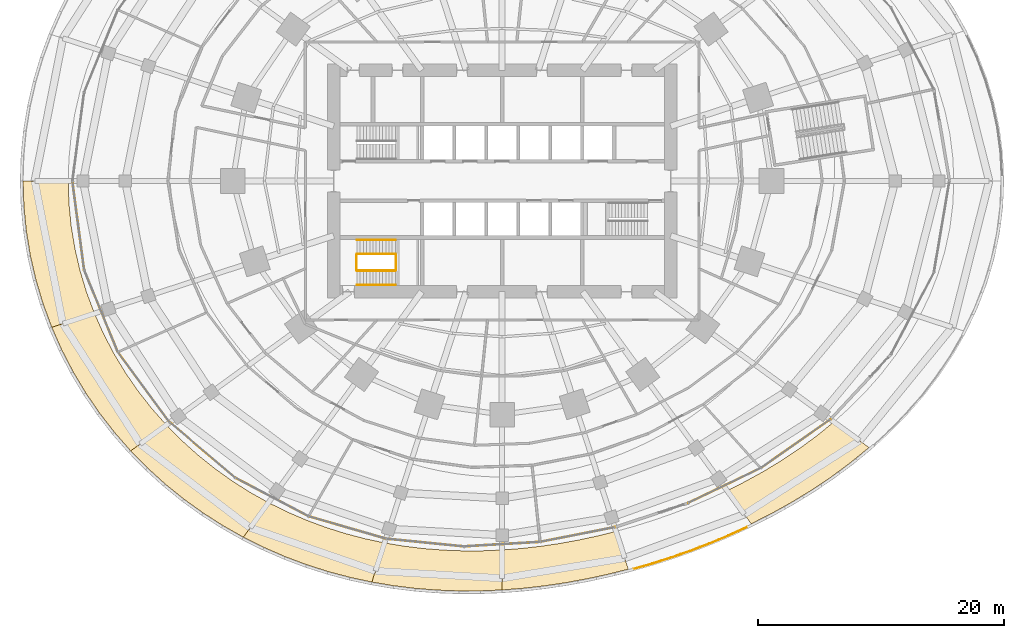
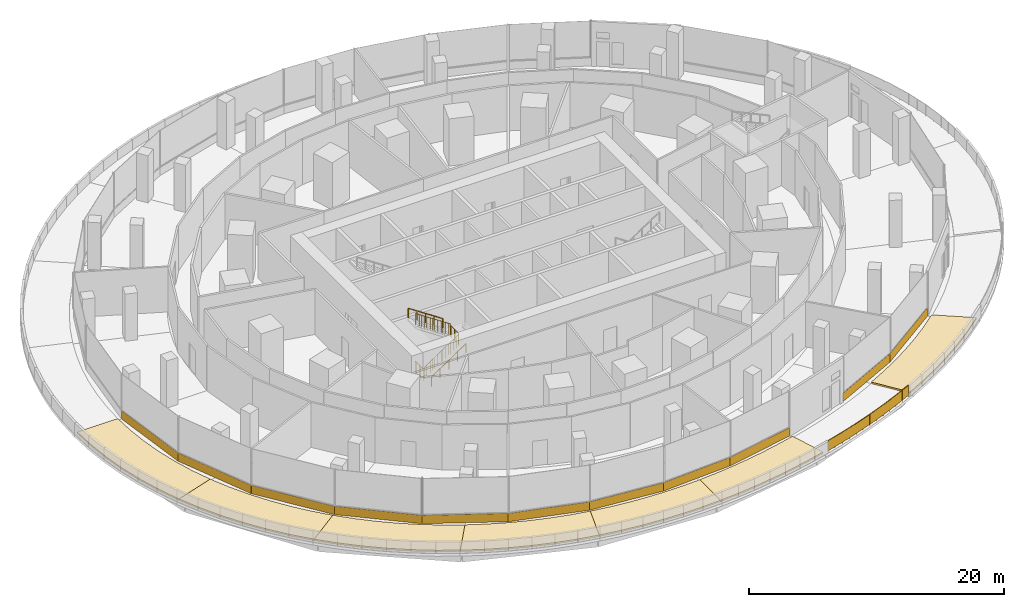
# One storey, part 25 of 27: 18 coverings, 7 railings.
"""IFC4 building model written with IfcOpenShell, lengths in metres."""

from ifc_helpers import new_model, si_unit, direction, frame, origin, origin_2d, place, context, subcontext, project, spatial, polyline, rectangle, circle, outline, extrude, material, layer, layer_set, type_object, element, save


model = new_model("IFC4")

# Units and contexts
model_context = context("Model", 3, precision=1e-05, world=origin(), true_north=direction((0.0, 1.0)))
body_context = subcontext(model_context, "Body", "Model", "MODEL_VIEW")
ifc_project = project(units=[si_unit("LENGTHUNIT", "METRE"), si_unit("AREAUNIT", "SQUARE_METRE"), si_unit("VOLUMEUNIT", "CUBIC_METRE"), si_unit("PLANEANGLEUNIT", "RADIAN"), si_unit("MASSUNIT", "GRAM", prefix="KILO")], contexts=[model_context])

# Site, building, storey
site_placement = place(None, origin())
site = spatial("IfcSite", under=ifc_project, at=site_placement, CompositionType="ELEMENT")
building_placement = place(site_placement, origin())
building = spatial("IfcBuilding", under=site, at=building_placement, Name="Marramba Exchange Tower", CompositionType="ELEMENT")
storey_placement = place(building_placement, frame((0.0, 0.0, 10.60009765625)))
storey = spatial("IfcBuildingStorey", under=building, at=storey_placement, Name="L02", CompositionType="ELEMENT", Elevation=10.60009765625)

# Coverings
ifc_material_1 = material(Name="Extensive green roof: growing medium on drainage cell, filter fabric and root-barrier membrane")
ifc_layer_1 = layer(ifc_material_1, 0.14990234375)
ifc_layer_set_1 = layer_set([ifc_layer_1], Name="Planted roof build-up 150")
covering_type_1 = type_object("IfcCoveringType", Name="Planted roof build-up 150", PredefinedType="ROOFING", material=ifc_layer_set_1)
covering_1_placement = place(storey_placement, origin())
element("IfcCovering", 1, at=covering_1_placement, inside=storey, type_object=covering_type_1, Name="Planted roof build-up L02 bay 11", PredefinedType="ROOFING", context=body_context, shape_type="SweptSolid", body=[
    extrude(outline(polyline([(-35.280029296875, 0.0), (-35.21923828125, -1.845703125), (-35.03759765625, -3.6826171875), (-34.736572265625, -5.501708984375), (-34.318603515625, -7.294677734375), (-33.787353515625, -9.05322265625), (-33.146484375, -10.77001953125), (-36.61572265625, -11.897216796875), (-37.3173828125, -9.999267578125), (-37.89892578125, -8.0556640625), (-38.35595703125, -6.074951171875), (-38.68505859375, -4.06591796875), (-38.883544921875, -2.037841796875), (-38.949951171875, 0.0), (-35.280029296875, 0.0)])), origin(), (0.0, 0.0, 1.0), 0.14990234375),
])
covering_2_placement = place(storey_placement, origin())
element("IfcCovering", 2, at=covering_2_placement, inside=storey, type_object=covering_type_1, Name="Planted roof build-up L02 bay 12", PredefinedType="ROOFING", context=body_context, shape_type="SweptSolid", body=[
    extrude(outline(polyline([(-33.146484375, -10.77001953125), (-32.40087890625, -12.4375), (-31.55615234375, -14.049560546875), (-30.61767578125, -15.6005859375), (-29.591796875, -17.0849609375), (-28.484619140625, -18.498291015625), (-27.302734375, -19.836669921875), (-30.199462890625, -21.941162109375), (-30.199462890625, -21.941162109375), (-31.49951171875, -20.4560546875), (-32.71630859375, -18.888671875), (-33.843017578125, -17.243896484375), (-34.87255859375, -15.5263671875), (-35.798828125, -13.741943359375), (-36.61572265625, -11.897216796875), (-36.61572265625, -11.897216796875), (-33.146484375, -10.77001953125)])), origin(), (0.0, 0.0, 1.0), 0.14990234375),
])
covering_3_placement = place(storey_placement, origin())
element("IfcCovering", 3, at=covering_3_placement, inside=storey, type_object=covering_type_1, Name="Planted roof build-up L02 bay 13", PredefinedType="ROOFING", context=body_context, shape_type="SweptSolid", body=[
    extrude(outline(polyline([(-27.302734375, -19.836669921875), (-26.052490234375, -21.096923828125), (-24.740234375, -22.276123046875), (-23.37255859375, -23.37255859375), (-21.955810546875, -24.38427734375), (-20.49609375, -25.310791015625), (-18.999755859375, -26.15087890625), (-21.041015625, -28.96044921875), (-22.6943359375, -28.025146484375), (-24.305908203125, -26.994384765625), (-25.869140625, -25.869140625), (-27.377197265625, -24.650390625), (-28.822998046875, -23.34033203125), (-30.199462890625, -21.941162109375), (-27.302734375, -19.836669921875)])), origin(), (0.0, 0.0, 1.0), 0.14990234375),
])
covering_4_placement = place(storey_placement, origin())
element("IfcCovering", 4, at=covering_4_placement, inside=storey, type_object=covering_type_1, Name="Planted roof build-up L02 bay 14", PredefinedType="ROOFING", context=body_context, shape_type="SweptSolid", body=[
    extrude(outline(polyline([(-18.999755859375, -26.15087890625), (-17.47265625, -26.905517578125), (-15.920166015625, -27.574462890625), (-14.347900390625, -28.159423828125), (-12.760986328125, -28.661376953125), (-11.163818359375, -29.082763671875), (-9.56103515625, -29.42578125), (-10.595458984375, -32.60986328125), (-12.370849609375, -32.227294921875), (-14.139404296875, -31.757568359375), (-15.89599609375, -31.19775390625), (-17.6357421875, -30.546142578125), (-19.352783203125, -29.800537109375), (-21.041015625, -28.96044921875), (-21.041015625, -28.96044921875), (-18.999755859375, -26.15087890625)])), origin(), (0.0, 0.0, 1.0), 0.14990234375),
])
covering_5_placement = place(storey_placement, origin())
element("IfcCovering", 5, at=covering_5_placement, inside=storey, type_object=covering_type_1, Name="Planted roof build-up L02 bay 15", PredefinedType="ROOFING", context=body_context, shape_type="SweptSolid", body=[
    extrude(outline(polyline([(-9.56103515625, -29.42578125), (-7.956298828125, -29.693115234375), (-6.352783203125, -29.887451171875), (-4.75341796875, -30.01220703125), (-3.160400390625, -30.0703125), (-1.57568359375, -30.065185546875), (0.0, -30.0), (0.0, -33.25), (-1.746337890625, -33.32275390625), (-3.5029296875, -33.32861328125), (-5.2685546875, -33.263671875), (-7.040771484375, -33.124755859375), (-8.817626953125, -32.907958984375), (-10.595458984375, -32.60986328125), (-10.595458984375, -32.60986328125), (-9.56103515625, -29.42578125)])), origin(), (0.0, 0.0, 1.0), 0.14990234375),
])
covering_6_placement = place(storey_placement, origin())
element("IfcCovering", 6, at=covering_6_placement, inside=storey, type_object=covering_type_1, Name="Planted roof build-up L02 bay 16", PredefinedType="ROOFING", context=body_context, shape_type="SweptSolid", body=[
    extrude(outline(polyline([(0.0, -30.0), (1.56591796875, -29.877685546875), (3.12158203125, -29.700927734375), (4.66796875, -29.471923828125), (6.205078125, -29.19287109375), (7.734375, -28.864990234375), (9.256591796875, -28.48876953125), (10.255615234375, -31.563720703125), (8.56982421875, -31.9833984375), (6.8759765625, -32.34912109375), (5.1728515625, -32.66064453125), (3.459716796875, -32.916015625), (1.7353515625, -33.113525390625), (0.0, -33.25), (0.0, -30.0)])), origin(), (0.0, 0.0, 1.0), 0.14990234375),
])
covering_7_placement = place(storey_placement, origin())
element("IfcCovering", 7, at=covering_7_placement, inside=storey, type_object=covering_type_1, Name="Planted roof build-up L02 bay 18", PredefinedType="ROOFING", context=body_context, shape_type="SweptSolid", body=[
    extrude(outline(polyline([(18.29052734375, -25.1748046875), (19.778564453125, -24.42431640625), (21.256591796875, -23.60791015625), (22.720703125, -22.720703125), (24.165283203125, -21.758544921875), (25.58349609375, -20.71728515625), (26.96728515625, -19.593017578125), (29.825927734375, -21.669677734375), (29.825927734375, -21.669677734375), (28.30078125, -22.91748046875), (26.736572265625, -24.07373046875), (25.142822265625, -25.142822265625), (23.526611328125, -26.12890625), (21.89404296875, -27.036865234375), (20.25, -27.871826171875), (20.25, -27.871826171875), (18.29052734375, -25.1748046875)])), origin(), (0.0, 0.0, 1.0), 0.14990234375),
])
ifc_material_2 = material(Name="Aluminium spandrel panel, bronze anodised, insulated", Category="aluminium")
ifc_layer_2 = layer(ifc_material_2, 0.050048828125)
ifc_layer_set_2 = layer_set([ifc_layer_2], Name="Spandrel panel 800")
covering_type_2 = type_object("IfcCoveringType", Name="Spandrel panel 800", PredefinedType="CLADDING", material=ifc_layer_set_2)
covering_8_placement = place(storey_placement, frame((-34.453125, -3.61083984375, 0.0), z_axis=(0.0, 0.0, 1.0), x_axis=(0.130911282376, -0.991394087206, 0.0)))
element("IfcCovering", 8, at=covering_8_placement, inside=storey, type_object=covering_type_2, Name="Spandrel panel SP1 L02 F16", PredefinedType="CLADDING", context=body_context, shape_type="SweptSolid", body=[
    extrude(rectangle(XDim=7.28466796875, YDim=0.050048828125, at=origin_2d()), origin(), (0.0, 0.0, 1.0), 0.800048828125),
])
covering_9_placement = place(storey_placement, frame((-32.6064453125, -10.564697265625, 0.0), z_axis=(0.0, 0.0, 1.0), x_axis=(0.379239669648, -0.925298477771, 0.0)))
element("IfcCovering", 9, at=covering_9_placement, inside=storey, type_object=covering_type_2, Name="Spandrel panel SP1 L02 F17", PredefinedType="CLADDING", context=body_context, shape_type="SweptSolid", body=[
    extrude(rectangle(XDim=7.22509765625, YDim=0.050048828125, at=origin_2d()), origin(), (0.0, 0.0, 1.0), 0.800048828125),
])
covering_10_placement = place(storey_placement, frame((-29.1279296875, -16.76904296875, 0.0), z_axis=(0.0, 0.0, 1.0), x_axis=(0.593136259524, -0.805102091438, 0.0)))
element("IfcCovering", 10, at=covering_10_placement, inside=storey, type_object=covering_type_2, Name="Spandrel panel SP1 L02 F18", PredefinedType="CLADDING", context=body_context, shape_type="SweptSolid", body=[
    extrude(rectangle(XDim=7.109130859375, YDim=0.050048828125, at=origin_2d()), origin(), (0.0, 0.0, 1.0), 0.800048828125),
])
covering_11_placement = place(storey_placement, frame((-24.37060546875, -21.877685546875, 0.0), z_axis=(0.0, 0.0, 1.0), x_axis=(0.762643245828, -0.646819356229, 0.0)))
element("IfcCovering", 11, at=covering_11_placement, inside=storey, type_object=covering_type_2, Name="Spandrel panel SP1 L02 F19", PredefinedType="CLADDING", context=body_context, shape_type="SweptSolid", body=[
    extrude(rectangle(XDim=6.94677734375, YDim=0.050048828125, at=origin_2d()), origin(), (0.0, 0.0, 1.0), 0.800048828125),
])
covering_12_placement = place(storey_placement, frame((-18.7333984375, -25.69775390625, 0.0), z_axis=(0.0, 0.0, 1.0), x_axis=(0.88482139404, -0.4659303603, 0.0)))
element("IfcCovering", 12, at=covering_12_placement, inside=storey, type_object=covering_type_2, Name="Spandrel panel SP1 L02 F20", PredefinedType="CLADDING", context=body_context, shape_type="SweptSolid", body=[
    extrude(rectangle(XDim=6.75439453125, YDim=0.050048828125, at=origin_2d()), origin(), (0.0, 0.0, 1.0), 0.800048828125),
])
covering_13_placement = place(storey_placement, frame((-12.59912109375, -28.18212890625, 0.0), z_axis=(0.0, 0.0, 1.0), x_axis=(0.960559279133, -0.278075297844, 0.0)))
element("IfcCovering", 13, at=covering_13_placement, inside=storey, type_object=covering_type_2, Name="Spandrel panel SP1 L02 F21", PredefinedType="CLADDING", context=body_context, shape_type="SweptSolid", body=[
    extrude(rectangle(XDim=6.550537109375, YDim=0.050048828125, at=origin_2d()), origin(), (0.0, 0.0, 1.0), 0.800048828125),
])
covering_14_placement = place(storey_placement, frame((-6.288330078125, -29.407470703125, 0.0), z_axis=(0.0, 0.0, 1.0), x_axis=(0.995093649921, -0.098937494844, 0.0)))
element("IfcCovering", 14, at=covering_14_placement, inside=storey, type_object=covering_type_2, Name="Spandrel panel SP1 L02 F22", PredefinedType="CLADDING", context=body_context, shape_type="SweptSolid", body=[
    extrude(rectangle(XDim=6.360107421875, YDim=0.050048828125, at=origin_2d()), origin(), (0.0, 0.0, 1.0), 0.800048828125),
])
covering_15_placement = place(storey_placement, frame((-0.01953125, -29.53759765625, 0.0), z_axis=(0.0, 0.0, 1.0), x_axis=(0.998234861164, 0.0593899146, 0.0)))
element("IfcCovering", 15, at=covering_15_placement, inside=storey, type_object=covering_type_2, Name="Spandrel panel SP1 L02 F23", PredefinedType="CLADDING", context=body_context, shape_type="SweptSolid", body=[
    extrude(rectangle(XDim=6.219970703125, YDim=0.050048828125, at=origin_2d()), origin(), (0.0, 0.0, 1.0), 0.800048828125),
])
covering_16_placement = place(storey_placement, frame((6.11669921875, -28.75439453125, 0.0), z_axis=(0.0, 0.0, 1.0), x_axis=(0.981067096824, 0.193668147948, 0.0)))
element("IfcCovering", 16, at=covering_16_placement, inside=storey, type_object=covering_type_2, Name="Spandrel panel SP1 L02 F24", PredefinedType="CLADDING", context=body_context, shape_type="SweptSolid", body=[
    extrude(rectangle(XDim=6.180419921875, YDim=0.050048828125, at=origin_2d()), origin(), (0.0, 0.0, 1.0), 0.800048828125),
])
covering_17_placement = place(storey_placement, frame((18.071533203125, -24.768798828125, 0.0), z_axis=(0.0, 0.0, 1.0), x_axis=(0.900955999326, 0.433910459979, 0.0)))
element("IfcCovering", 17, at=covering_17_placement, inside=storey, type_object=covering_type_2, Name="Spandrel panel SP1 L02 F26", PredefinedType="CLADDING", context=body_context, shape_type="SweptSolid", body=[
    extrude(rectangle(XDim=6.55029296875, YDim=0.050048828125, at=origin_2d()), origin(), (0.0, 0.0, 1.0), 0.800048828125),
])
covering_18_placement = place(storey_placement, frame((23.853271484375, -21.367431640625, 0.0), z_axis=(0.0, 0.0, 1.0), x_axis=(0.819415982264, 0.57319930915, 0.0)))
element("IfcCovering", 18, at=covering_18_placement, inside=storey, type_object=covering_type_2, Name="Spandrel panel SP1 L02 F27", PredefinedType="CLADDING", context=body_context, shape_type="SweptSolid", body=[
    extrude(rectangle(XDim=6.909423828125, YDim=0.050048828125, at=origin_2d()), origin(), (0.0, 0.0, 1.0), 0.800048828125),
])

# Railings
ifc_material_3 = material(Name="Stainless steel handrail", Category="steel")
railing_type_1 = type_object("IfcRailingType", Name="Stair handrail 900", PredefinedType="HANDRAIL", material=ifc_material_3)
railing_1_placement = place(storey_placement, frame((-11.800048828125, -8.449951171875, 0.173095703125)))
element("IfcRailing", 19, at=railing_1_placement, inside=storey, type_object=railing_type_1, Name="Handrail HR1 ST3 L02 flight 1", PredefinedType="HANDRAIL", context=body_context, shape_type="SweptSolid", body=[
    extrude(circle(Radius=0.02392578125, at=origin_2d()), frame((0.0, 0.0, 0.8759765625), z_axis=(0.83244090515, 0.0, 0.554113832559), x_axis=(0.0, 1.0, 0.0)), (0.0, 0.0, 1.0), 3.748046875),
    extrude(circle(Radius=0.02099609375, at=origin_2d()), origin(), (0.0, 0.0, 1.0), 0.851806640625),
    extrude(circle(Radius=0.02099609375, at=origin_2d()), frame((0.780029296875, 0.0, 0.519287109375)), (0.0, 0.0, 1.0), 0.851806640625),
    extrude(circle(Radius=0.02099609375, at=origin_2d()), frame((1.56005859375, 0.0, 1.03857421875)), (0.0, 0.0, 1.0), 0.851806640625),
    extrude(circle(Radius=0.02099609375, at=origin_2d()), frame((2.340087890625, 0.0, 1.5576171875)), (0.0, 0.0, 1.0), 0.851806640625),
    extrude(circle(Radius=0.02099609375, at=origin_2d()), frame((3.1201171875, 0.0, 2.076904296875)), (0.0, 0.0, 1.0), 0.851806640625),
])
railing_2_placement = place(storey_placement, frame((-8.679931640625, -4.800048828125, 2.423095703125)))
element("IfcRailing", 20, at=railing_2_placement, inside=storey, type_object=railing_type_1, Name="Handrail HR1 ST3 L02 flight 2", PredefinedType="HANDRAIL", context=body_context, shape_type="SweptSolid", body=[
    extrude(circle(Radius=0.02392578125, at=origin_2d()), frame((0.0, 0.0, 0.8759765625), z_axis=(-0.83244090515, 0.0, 0.554113832559), x_axis=(0.0, -1.0, 0.0)), (0.0, 0.0, 1.0), 3.748046875),
    extrude(circle(Radius=0.02099609375, at=origin_2d()), origin(), (0.0, 0.0, 1.0), 0.851806640625),
    extrude(circle(Radius=0.02099609375, at=origin_2d()), frame((-0.780029296875, 0.0, 0.519287109375)), (0.0, 0.0, 1.0), 0.851806640625),
    extrude(circle(Radius=0.02099609375, at=origin_2d()), frame((-1.56005859375, 0.0, 1.03857421875)), (0.0, 0.0, 1.0), 0.851806640625),
    extrude(circle(Radius=0.02099609375, at=origin_2d()), frame((-2.340087890625, 0.0, 1.5576171875)), (0.0, 0.0, 1.0), 0.851806640625),
    extrude(circle(Radius=0.02099609375, at=origin_2d()), frame((-3.1201171875, 0.0, 2.076904296875)), (0.0, 0.0, 1.0), 0.851806640625),
])
ifc_material_4 = material(Name="Stainless steel guard", Category="steel")
railing_type_2 = type_object("IfcRailingType", Name="Stair well guard 1100", PredefinedType="GUARDRAIL", material=ifc_material_4)
railing_3_placement = place(storey_placement, frame((-11.800048828125, -7.300048828125, 0.173095703125)))
element("IfcRailing", 21, at=railing_3_placement, inside=storey, type_object=railing_type_2, Name="Stair well guard GR2 ST3 L02 flight 1", PredefinedType="GUARDRAIL", context=body_context, shape_type="SweptSolid", body=[
    extrude(circle(Radius=0.02392578125, at=origin_2d()), frame((0.0, 0.0, 1.076171875), z_axis=(0.83244090515, 0.0, 0.554113832559), x_axis=(0.0, 1.0, 0.0)), (0.0, 0.0, 1.0), 3.748046875),
    extrude(circle(Radius=0.02099609375, at=origin_2d()), origin(), (0.0, 0.0, 1.0), 1.052001953125),
    extrude(circle(Radius=0.02099609375, at=origin_2d()), frame((0.780029296875, 0.0, 0.519287109375)), (0.0, 0.0, 1.0), 1.052001953125),
    extrude(circle(Radius=0.02099609375, at=origin_2d()), frame((1.56005859375, 0.0, 1.03857421875)), (0.0, 0.0, 1.0), 1.052001953125),
    extrude(circle(Radius=0.02099609375, at=origin_2d()), frame((2.340087890625, 0.0, 1.5576171875)), (0.0, 0.0, 1.0), 1.052001953125),
    extrude(circle(Radius=0.02099609375, at=origin_2d()), frame((3.1201171875, 0.0, 2.076904296875)), (0.0, 0.0, 1.0), 1.052001953125),
    extrude(circle(Radius=0.006103515625, at=origin_2d()), frame((0.1220703125, 0.0, 0.081298828125)), (0.0, 0.0, 1.0), 1.052001953125),
    extrude(circle(Radius=0.006103515625, at=origin_2d()), frame((0.229248046875, 0.0, 0.152587890625)), (0.0, 0.0, 1.0), 1.052001953125),
    extrude(circle(Radius=0.006103515625, at=origin_2d()), frame((0.33642578125, 0.0, 0.223876953125)), (0.0, 0.0, 1.0), 1.052001953125),
    extrude(circle(Radius=0.006103515625, at=origin_2d()), frame((0.443603515625, 0.0, 0.295166015625)), (0.0, 0.0, 1.0), 1.052001953125),
    extrude(circle(Radius=0.006103515625, at=origin_2d()), frame((0.55078125, 0.0, 0.36669921875)), (0.0, 0.0, 1.0), 1.052001953125),
    extrude(circle(Radius=0.006103515625, at=origin_2d()), frame((0.657958984375, 0.0, 0.43798828125)), (0.0, 0.0, 1.0), 1.052001953125),
    extrude(circle(Radius=0.006103515625, at=origin_2d()), frame((0.902099609375, 0.0, 0.6005859375)), (0.0, 0.0, 1.0), 1.052001953125),
    extrude(circle(Radius=0.006103515625, at=origin_2d()), frame((1.00927734375, 0.0, 0.671875)), (0.0, 0.0, 1.0), 1.052001953125),
    extrude(circle(Radius=0.006103515625, at=origin_2d()), frame((1.116455078125, 0.0, 0.7431640625)), (0.0, 0.0, 1.0), 1.052001953125),
    extrude(circle(Radius=0.006103515625, at=origin_2d()), frame((1.2236328125, 0.0, 0.814453125)), (0.0, 0.0, 1.0), 1.052001953125),
    extrude(circle(Radius=0.006103515625, at=origin_2d()), frame((1.330810546875, 0.0, 0.8857421875)), (0.0, 0.0, 1.0), 1.052001953125),
    extrude(circle(Radius=0.006103515625, at=origin_2d()), frame((1.43798828125, 0.0, 0.95703125)), (0.0, 0.0, 1.0), 1.052001953125),
    extrude(circle(Radius=0.006103515625, at=origin_2d()), frame((1.68212890625, 0.0, 1.119873046875)), (0.0, 0.0, 1.0), 1.052001953125),
    extrude(circle(Radius=0.006103515625, at=origin_2d()), frame((1.789306640625, 0.0, 1.191162109375)), (0.0, 0.0, 1.0), 1.052001953125),
    extrude(circle(Radius=0.006103515625, at=origin_2d()), frame((1.896484375, 0.0, 1.262451171875)), (0.0, 0.0, 1.0), 1.052001953125),
    extrude(circle(Radius=0.006103515625, at=origin_2d()), frame((2.003662109375, 0.0, 1.333740234375)), (0.0, 0.0, 1.0), 1.052001953125),
    extrude(circle(Radius=0.006103515625, at=origin_2d()), frame((2.11083984375, 0.0, 1.405029296875)), (0.0, 0.0, 1.0), 1.052001953125),
    extrude(circle(Radius=0.006103515625, at=origin_2d()), frame((2.218017578125, 0.0, 1.476318359375)), (0.0, 0.0, 1.0), 1.052001953125),
    extrude(circle(Radius=0.006103515625, at=origin_2d()), frame((2.462158203125, 0.0, 1.638916015625)), (0.0, 0.0, 1.0), 1.052001953125),
    extrude(circle(Radius=0.006103515625, at=origin_2d()), frame((2.5693359375, 0.0, 1.710205078125)), (0.0, 0.0, 1.0), 1.052001953125),
    extrude(circle(Radius=0.006103515625, at=origin_2d()), frame((2.676513671875, 0.0, 1.78173828125)), (0.0, 0.0, 1.0), 1.052001953125),
    extrude(circle(Radius=0.006103515625, at=origin_2d()), frame((2.78369140625, 0.0, 1.85302734375)), (0.0, 0.0, 1.0), 1.052001953125),
    extrude(circle(Radius=0.006103515625, at=origin_2d()), frame((2.890869140625, 0.0, 1.92431640625)), (0.0, 0.0, 1.0), 1.052001953125),
    extrude(circle(Radius=0.006103515625, at=origin_2d()), frame((2.998046875, 0.0, 1.99560546875)), (0.0, 0.0, 1.0), 1.052001953125),
])
railing_4_placement = place(storey_placement, frame((-8.679931640625, -5.949951171875, 2.423095703125)))
element("IfcRailing", 22, at=railing_4_placement, inside=storey, type_object=railing_type_2, Name="Stair well guard GR2 ST3 L02 flight 2", PredefinedType="GUARDRAIL", context=body_context, shape_type="SweptSolid", body=[
    extrude(circle(Radius=0.02392578125, at=origin_2d()), frame((0.0, 0.0, 1.076171875), z_axis=(-0.83244090515, 0.0, 0.554113832559), x_axis=(0.0, -1.0, 0.0)), (0.0, 0.0, 1.0), 3.748046875),
    extrude(circle(Radius=0.02099609375, at=origin_2d()), origin(), (0.0, 0.0, 1.0), 1.052001953125),
    extrude(circle(Radius=0.02099609375, at=origin_2d()), frame((-0.780029296875, 0.0, 0.519287109375)), (0.0, 0.0, 1.0), 1.052001953125),
    extrude(circle(Radius=0.02099609375, at=origin_2d()), frame((-1.56005859375, 0.0, 1.03857421875)), (0.0, 0.0, 1.0), 1.052001953125),
    extrude(circle(Radius=0.02099609375, at=origin_2d()), frame((-2.340087890625, 0.0, 1.5576171875)), (0.0, 0.0, 1.0), 1.052001953125),
    extrude(circle(Radius=0.02099609375, at=origin_2d()), frame((-3.1201171875, 0.0, 2.076904296875)), (0.0, 0.0, 1.0), 1.052001953125),
    extrude(circle(Radius=0.006103515625, at=origin_2d()), frame((-0.1220703125, 0.0, 0.081298828125)), (0.0, 0.0, 1.0), 1.052001953125),
    extrude(circle(Radius=0.006103515625, at=origin_2d()), frame((-0.229248046875, 0.0, 0.152587890625)), (0.0, 0.0, 1.0), 1.052001953125),
    extrude(circle(Radius=0.006103515625, at=origin_2d()), frame((-0.33642578125, 0.0, 0.223876953125)), (0.0, 0.0, 1.0), 1.052001953125),
    extrude(circle(Radius=0.006103515625, at=origin_2d()), frame((-0.443603515625, 0.0, 0.295166015625)), (0.0, 0.0, 1.0), 1.052001953125),
    extrude(circle(Radius=0.006103515625, at=origin_2d()), frame((-0.55078125, 0.0, 0.36669921875)), (0.0, 0.0, 1.0), 1.052001953125),
    extrude(circle(Radius=0.006103515625, at=origin_2d()), frame((-0.657958984375, 0.0, 0.43798828125)), (0.0, 0.0, 1.0), 1.052001953125),
    extrude(circle(Radius=0.006103515625, at=origin_2d()), frame((-0.902099609375, 0.0, 0.6005859375)), (0.0, 0.0, 1.0), 1.052001953125),
    extrude(circle(Radius=0.006103515625, at=origin_2d()), frame((-1.00927734375, 0.0, 0.671875)), (0.0, 0.0, 1.0), 1.052001953125),
    extrude(circle(Radius=0.006103515625, at=origin_2d()), frame((-1.116455078125, 0.0, 0.7431640625)), (0.0, 0.0, 1.0), 1.052001953125),
    extrude(circle(Radius=0.006103515625, at=origin_2d()), frame((-1.2236328125, 0.0, 0.814453125)), (0.0, 0.0, 1.0), 1.052001953125),
    extrude(circle(Radius=0.006103515625, at=origin_2d()), frame((-1.330810546875, 0.0, 0.8857421875)), (0.0, 0.0, 1.0), 1.052001953125),
    extrude(circle(Radius=0.006103515625, at=origin_2d()), frame((-1.43798828125, 0.0, 0.95703125)), (0.0, 0.0, 1.0), 1.052001953125),
    extrude(circle(Radius=0.006103515625, at=origin_2d()), frame((-1.68212890625, 0.0, 1.119873046875)), (0.0, 0.0, 1.0), 1.052001953125),
    extrude(circle(Radius=0.006103515625, at=origin_2d()), frame((-1.789306640625, 0.0, 1.191162109375)), (0.0, 0.0, 1.0), 1.052001953125),
    extrude(circle(Radius=0.006103515625, at=origin_2d()), frame((-1.896484375, 0.0, 1.262451171875)), (0.0, 0.0, 1.0), 1.052001953125),
    extrude(circle(Radius=0.006103515625, at=origin_2d()), frame((-2.003662109375, 0.0, 1.333740234375)), (0.0, 0.0, 1.0), 1.052001953125),
    extrude(circle(Radius=0.006103515625, at=origin_2d()), frame((-2.11083984375, 0.0, 1.405029296875)), (0.0, 0.0, 1.0), 1.052001953125),
    extrude(circle(Radius=0.006103515625, at=origin_2d()), frame((-2.218017578125, 0.0, 1.476318359375)), (0.0, 0.0, 1.0), 1.052001953125),
    extrude(circle(Radius=0.006103515625, at=origin_2d()), frame((-2.462158203125, 0.0, 1.638916015625)), (0.0, 0.0, 1.0), 1.052001953125),
    extrude(circle(Radius=0.006103515625, at=origin_2d()), frame((-2.5693359375, 0.0, 1.710205078125)), (0.0, 0.0, 1.0), 1.052001953125),
    extrude(circle(Radius=0.006103515625, at=origin_2d()), frame((-2.676513671875, 0.0, 1.78173828125)), (0.0, 0.0, 1.0), 1.052001953125),
    extrude(circle(Radius=0.006103515625, at=origin_2d()), frame((-2.78369140625, 0.0, 1.85302734375)), (0.0, 0.0, 1.0), 1.052001953125),
    extrude(circle(Radius=0.006103515625, at=origin_2d()), frame((-2.890869140625, 0.0, 1.92431640625)), (0.0, 0.0, 1.0), 1.052001953125),
    extrude(circle(Radius=0.006103515625, at=origin_2d()), frame((-2.998046875, 0.0, 1.99560546875)), (0.0, 0.0, 1.0), 1.052001953125),
])
for number, where, name in (
    (23, (-8.6298828125, -7.25, 2.25), "Stair well guard GR2 ST3 L02 half landing"),
    (24, (-11.85009765625, -7.25, 0.0), "Stair well guard GR2 ST3 L02 floor landing"),
):
    element("IfcRailing", number, at=place(storey_placement, frame(where)), inside=storey, type_object=railing_type_2, Name=name, PredefinedType="GUARDRAIL", context=body_context, shape_type="SweptSolid", body=[
        extrude(circle(Radius=0.02392578125, at=origin_2d()), frame((0.0, 0.0, 1.076171875), z_axis=(0.0, 1.0, 0.0), x_axis=(-1.0, 0.0, 0.0)), (0.0, 0.0, 1.0), 1.25),
        extrude(circle(Radius=0.02099609375, at=origin_2d()), origin(), (0.0, 0.0, 1.0), 1.052001953125),
        extrude(circle(Radius=0.02099609375, at=origin_2d()), frame((0.0, 0.625, 0.0)), (0.0, 0.0, 1.0), 1.052001953125),
        extrude(circle(Radius=0.02099609375, at=origin_2d()), frame((0.0, 1.25, 0.0)), (0.0, 0.0, 1.0), 1.052001953125),
        extrude(circle(Radius=0.006103515625, at=origin_2d()), frame((0.0, 0.1142578125, 0.0)), (0.0, 0.0, 1.0), 1.052001953125),
        extrude(circle(Radius=0.006103515625, at=origin_2d()), frame((0.0, 0.21337890625, 0.0)), (0.0, 0.0, 1.0), 1.052001953125),
        extrude(circle(Radius=0.006103515625, at=origin_2d()), frame((0.0, 0.3125, 0.0)), (0.0, 0.0, 1.0), 1.052001953125),
        extrude(circle(Radius=0.006103515625, at=origin_2d()), frame((0.0, 0.41162109375, 0.0)), (0.0, 0.0, 1.0), 1.052001953125),
        extrude(circle(Radius=0.006103515625, at=origin_2d()), frame((0.0, 0.5107421875, 0.0)), (0.0, 0.0, 1.0), 1.052001953125),
        extrude(circle(Radius=0.006103515625, at=origin_2d()), frame((0.0, 0.7392578125, 0.0)), (0.0, 0.0, 1.0), 1.052001953125),
        extrude(circle(Radius=0.006103515625, at=origin_2d()), frame((0.0, 0.83837890625, 0.0)), (0.0, 0.0, 1.0), 1.052001953125),
        extrude(circle(Radius=0.006103515625, at=origin_2d()), frame((0.0, 0.9375, 0.0)), (0.0, 0.0, 1.0), 1.052001953125),
        extrude(circle(Radius=0.006103515625, at=origin_2d()), frame((0.0, 1.03662109375, 0.0)), (0.0, 0.0, 1.0), 1.052001953125),
        extrude(circle(Radius=0.006103515625, at=origin_2d()), frame((0.0, 1.1357421875, 0.0)), (0.0, 0.0, 1.0), 1.052001953125),
    ])
ifc_material_5 = material(Name="Bronze anodised aluminium and laminated glass guard", Category="aluminium")
railing_type_3 = type_object("IfcRailingType", Name="Terrace guard 1100", PredefinedType="GUARDRAIL", material=ifc_material_5)
railing_5_placement = place(storey_placement, frame((10.671875, -31.55517578125, 0.0)))
element("IfcRailing", 25, at=railing_5_placement, inside=storey, type_object=railing_type_3, Name="Terrace guard GR1 L02 bay 17", PredefinedType="GUARDRAIL", context=body_context, shape_type="SweptSolid", body=[
    extrude(circle(Radius=0.02392578125, at=origin_2d()), frame((0.0, 0.0, 1.076171875), z_axis=(0.960844422449, 0.277088426044, 0.0), x_axis=(-0.277088426044, 0.960844422449, 0.0)), (0.0, 0.0, 1.0), 1.620361328125),
    extrude(circle(Radius=0.02392578125, at=origin_2d()), frame((1.556884765625, 0.448974609375, 1.076171875), z_axis=(0.952594536048, 0.304242748297, 0.0), x_axis=(-0.304242748297, 0.952594536048, 0.0)), (0.0, 0.0, 1.0), 1.62890625),
    extrude(circle(Radius=0.02392578125, at=origin_2d()), frame((3.108642578125, 0.944580078125, 1.076171875), z_axis=(0.943516740484, 0.331324856337, 0.0), x_axis=(-0.331324856337, 0.943516740484, 0.0)), (0.0, 0.0, 1.0), 1.64013671875),
    extrude(circle(Radius=0.02392578125, at=origin_2d()), frame((4.65625, 1.488037109375, 1.076171875), z_axis=(0.933372239493, 0.358909825088, 0.0), x_axis=(-0.358909825088, 0.933372239493, 0.0)), (0.0, 0.0, 1.0), 1.653564453125),
    extrude(circle(Radius=0.02392578125, at=origin_2d()), frame((6.19970703125, 2.08154296875, 1.076171875), z_axis=(0.922196064506, 0.386722663688, 0.0), x_axis=(-0.386722663688, 0.922196064506, 0.0)), (0.0, 0.0, 1.0), 1.669189453125),
    extrude(circle(Radius=0.02392578125, at=origin_2d()), frame((7.739013671875, 2.72705078125, 1.076171875), z_axis=(0.909651140047, 0.415373089415, 0.0), x_axis=(-0.415373089415, 0.909651140047, 0.0)), (0.0, 0.0, 1.0), 1.686279296875),
    extrude(circle(Radius=0.02099609375, at=origin_2d()), origin(), (0.0, 0.0, 1.0), 1.052001953125),
    extrude(circle(Radius=0.02099609375, at=origin_2d()), frame((0.7783203125, 0.224609375, 0.0)), (0.0, 0.0, 1.0), 1.052001953125),
    extrude(circle(Radius=0.02099609375, at=origin_2d()), frame((1.556884765625, 0.448974609375, 0.0)), (0.0, 0.0, 1.0), 1.052001953125),
    extrude(circle(Radius=0.02099609375, at=origin_2d()), frame((2.332763671875, 0.69677734375, 0.0)), (0.0, 0.0, 1.0), 1.052001953125),
    extrude(circle(Radius=0.02099609375, at=origin_2d()), frame((3.108642578125, 0.944580078125, 0.0)), (0.0, 0.0, 1.0), 1.052001953125),
    extrude(circle(Radius=0.02099609375, at=origin_2d()), frame((3.88232421875, 1.21630859375, 0.0)), (0.0, 0.0, 1.0), 1.052001953125),
    extrude(circle(Radius=0.02099609375, at=origin_2d()), frame((4.65625, 1.488037109375, 0.0)), (0.0, 0.0, 1.0), 1.052001953125),
    extrude(circle(Radius=0.02099609375, at=origin_2d()), frame((5.427978515625, 1.78466796875, 0.0)), (0.0, 0.0, 1.0), 1.052001953125),
    extrude(circle(Radius=0.02099609375, at=origin_2d()), frame((6.19970703125, 2.08154296875, 0.0)), (0.0, 0.0, 1.0), 1.052001953125),
    extrude(circle(Radius=0.02099609375, at=origin_2d()), frame((6.96923828125, 2.404296875, 0.0)), (0.0, 0.0, 1.0), 1.052001953125),
    extrude(circle(Radius=0.02099609375, at=origin_2d()), frame((7.739013671875, 2.72705078125, 0.0)), (0.0, 0.0, 1.0), 1.052001953125),
    extrude(circle(Radius=0.02099609375, at=origin_2d()), frame((8.505859375, 3.0771484375, 0.0)), (0.0, 0.0, 1.0), 1.052001953125),
    extrude(circle(Radius=0.02099609375, at=origin_2d()), frame((9.27294921875, 3.427490234375, 0.0)), (0.0, 0.0, 1.0), 1.052001953125),
    extrude(rectangle(XDim=0.792236328125, YDim=0.02001953125, at=origin_2d()), frame((0.38916015625, 0.1123046875, 0.10009765625), z_axis=(0.0, 0.0, 1.0), x_axis=(0.960844422449, 0.277088426044, 0.0)), (0.0, 0.0, 1.0), 0.951904296875),
    extrude(rectangle(XDim=0.792236328125, YDim=0.02001953125, at=origin_2d()), frame((1.167724609375, 0.336669921875, 0.10009765625), z_axis=(0.0, 0.0, 1.0), x_axis=(0.960844422449, 0.277088426044, 0.0)), (0.0, 0.0, 1.0), 0.951904296875),
    extrude(rectangle(XDim=0.79638671875, YDim=0.02001953125, at=origin_2d()), frame((1.94482421875, 0.57275390625, 0.10009765625), z_axis=(0.0, 0.0, 1.0), x_axis=(0.952594536048, 0.304242748297, 0.0)), (0.0, 0.0, 1.0), 0.951904296875),
    extrude(rectangle(XDim=0.79638671875, YDim=0.02001953125, at=origin_2d()), frame((2.720703125, 0.82080078125, 0.10009765625), z_axis=(0.0, 0.0, 1.0), x_axis=(0.952594536048, 0.304242748297, 0.0)), (0.0, 0.0, 1.0), 0.951904296875),
    extrude(rectangle(XDim=0.80224609375, YDim=0.02001953125, at=origin_2d()), frame((3.49560546875, 1.08056640625, 0.10009765625), z_axis=(0.0, 0.0, 1.0), x_axis=(0.943516740484, 0.331324856337, 0.0)), (0.0, 0.0, 1.0), 0.951904296875),
    extrude(rectangle(XDim=0.80224609375, YDim=0.02001953125, at=origin_2d()), frame((4.269287109375, 1.35205078125, 0.10009765625), z_axis=(0.0, 0.0, 1.0), x_axis=(0.943516740484, 0.331324856337, 0.0)), (0.0, 0.0, 1.0), 0.951904296875),
    extrude(rectangle(XDim=0.808837890625, YDim=0.02001953125, at=origin_2d()), frame((5.0419921875, 1.636474609375, 0.10009765625), z_axis=(0.0, 0.0, 1.0), x_axis=(0.933372239493, 0.358909825088, 0.0)), (0.0, 0.0, 1.0), 0.951904296875),
    extrude(rectangle(XDim=0.808837890625, YDim=0.02001953125, at=origin_2d()), frame((5.81396484375, 1.93310546875, 0.10009765625), z_axis=(0.0, 0.0, 1.0), x_axis=(0.933372239493, 0.358909825088, 0.0)), (0.0, 0.0, 1.0), 0.951904296875),
    extrude(rectangle(XDim=0.816650390625, YDim=0.02001953125, at=origin_2d()), frame((6.58447265625, 2.242919921875, 0.10009765625), z_axis=(0.0, 0.0, 1.0), x_axis=(0.922196064506, 0.386722663688, 0.0)), (0.0, 0.0, 1.0), 0.951904296875),
    extrude(rectangle(XDim=0.816650390625, YDim=0.02001953125, at=origin_2d()), frame((7.354248046875, 2.565673828125, 0.10009765625), z_axis=(0.0, 0.0, 1.0), x_axis=(0.922196064506, 0.386722663688, 0.0)), (0.0, 0.0, 1.0), 0.951904296875),
    extrude(rectangle(XDim=0.8251953125, YDim=0.02001953125, at=origin_2d()), frame((8.12255859375, 2.902099609375, 0.10009765625), z_axis=(0.0, 0.0, 1.0), x_axis=(0.909651140047, 0.415373089415, 0.0)), (0.0, 0.0, 1.0), 0.951904296875),
    extrude(rectangle(XDim=0.8251953125, YDim=0.02001953125, at=origin_2d()), frame((8.889404296875, 3.25244140625, 0.10009765625), z_axis=(0.0, 0.0, 1.0), x_axis=(0.909651140047, 0.415373089415, 0.0)), (0.0, 0.0, 1.0), 0.951904296875),
])

save(model, "model.ifc")
